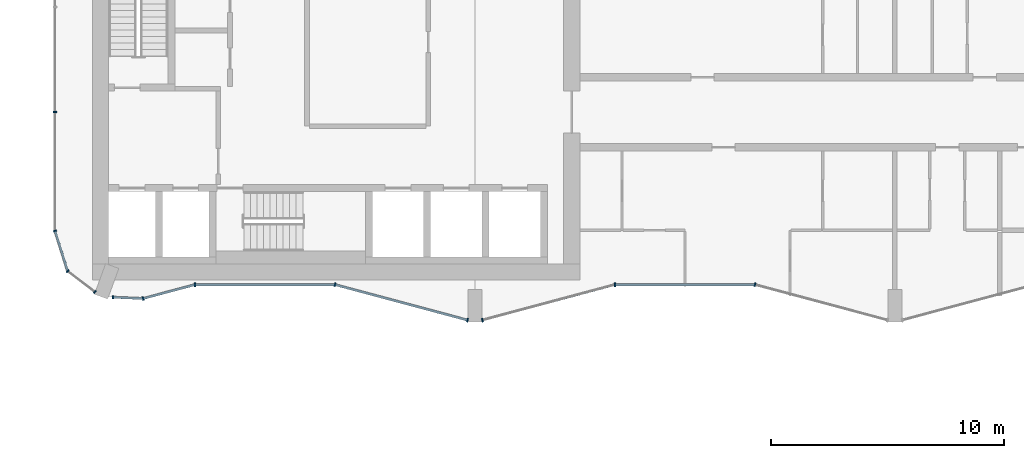
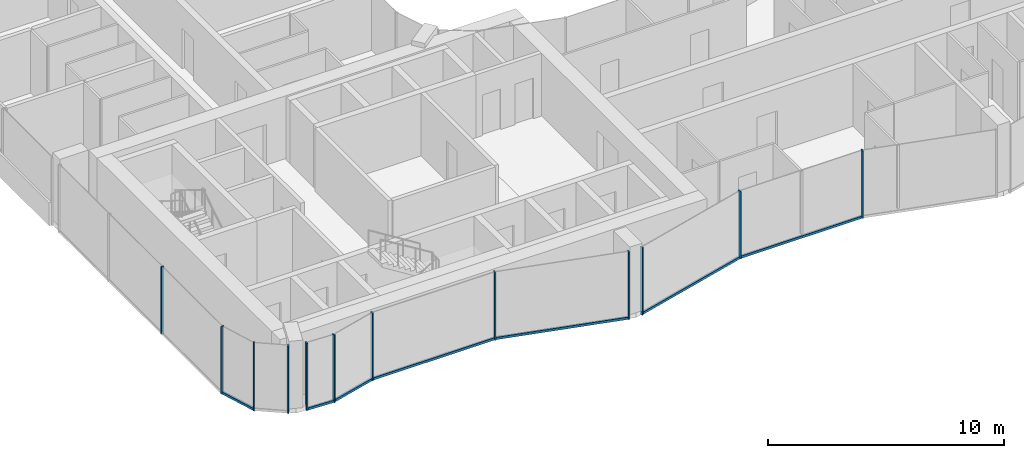
# One storey, part 2 of 23: 19 members, 10 elements without a shape of their own.
"""IFC4 building model written with IfcOpenShell, lengths in metres."""

from ifc_helpers import new_model, si_unit, direction, frame, origin, origin_2d, place, context, subcontext, project, spatial, rectangle, extrude, material, layer, layer_set, material_profile, profile_set, type_object, element, aggregate, save


model = new_model("IFC4")

# Units and contexts
model_context = context("Model", 3, precision=1e-05, world=origin(), true_north=direction((0.0, 1.0)))
body_context = subcontext(model_context, "Body", "Model", "MODEL_VIEW")
ifc_project = project(units=[si_unit("LENGTHUNIT", "METRE"), si_unit("AREAUNIT", "SQUARE_METRE"), si_unit("VOLUMEUNIT", "CUBIC_METRE"), si_unit("PLANEANGLEUNIT", "RADIAN"), si_unit("MASSUNIT", "GRAM", prefix="KILO")], contexts=[model_context])

# Site, building, storey
site_placement = place(None, origin())
site = spatial("IfcSite", under=ifc_project, at=site_placement, CompositionType="ELEMENT")
building_placement = place(site_placement, origin())
building = spatial("IfcBuilding", under=site, at=building_placement, Name="Plateau Cross Towers", CompositionType="ELEMENT")
storey_placement = place(building_placement, frame((0.0, 0.0, 88.800048828125)))
storey = spatial("IfcBuildingStorey", under=building, at=storey_placement, Name="L22", CompositionType="ELEMENT", Elevation=88.800048828125)

# Curtain wall, member
ifc_material_1 = material(Name="Dark low-iron glass", Category="glass")
ifc_layer_1 = layer(ifc_material_1, 0.239990234375)
ifc_layer_set_1 = layer_set([ifc_layer_1], Name="Dark low-iron glass")
curtain_wall_type_1 = type_object("IfcCurtainWallType", Name="Curtain wall flush unitised CW-B", PredefinedType="NOTDEFINED", material=ifc_layer_set_1)
curtain_wall_1_placement = place(storey_placement, origin())
curtain_wall_1 = element("IfcCurtainWall", 1, at=curtain_wall_1_placement, inside=storey, type_object=curtain_wall_type_1, Name="ENV/A/L22/A0_177", PredefinedType="NOTDEFINED")
ifc_material_2 = material(Name="Black anodised aluminium", Category="aluminium")
ifc_material_profile_1 = material_profile(ifc_material_2, rectangle(XDim=0.06005859375, YDim=0.139892578125, at=origin_2d()), Name="MULLION 60x140")
ifc_profile_set_1 = profile_set([ifc_material_profile_1], Name="Black anodised aluminium")
member_type_1 = type_object("IfcMemberType", Name="Mullion 60x140 flush unitised", PredefinedType="MULLION", material=ifc_profile_set_1)
member_1_placement = place(storey_placement, frame((0.0, 9.0, -0.25), z_axis=(0.0, 0.0, 1.0), x_axis=(0.0, -1.0, 0.0)))
member_1 = element("IfcMember", 2, at=member_1_placement, type_object=member_type_1, Name="CW-B mullion 3", PredefinedType="MULLION", context=body_context, shape_type="SweptSolid", body=[
    extrude(rectangle(XDim=0.06005859375, YDim=0.139892578125, at=origin_2d()), origin(), (0.0, 0.0, 1.0), 3.5),
])
aggregate(curtain_wall_1, [member_1])

curtain_wall_2_placement = place(storey_placement, origin())
curtain_wall_2 = element("IfcCurtainWall", 3, at=curtain_wall_2_placement, inside=storey, type_object=curtain_wall_type_1, Name="ENV/A/L22/A0_39", PredefinedType="NOTDEFINED")
member_2_placement = place(storey_placement, frame((0.0, 3.9091796875, -0.25), z_axis=(0.0, 0.0, 1.0), x_axis=(0.300686174994, -0.95372313811, 0.0)))
member_2 = element("IfcMember", 4, at=member_2_placement, type_object=member_type_1, Name="CW-B mullion 1", PredefinedType="MULLION", context=body_context, shape_type="SweptSolid", body=[
    extrude(rectangle(XDim=0.06005859375, YDim=0.139892578125, at=origin_2d()), origin(), (0.0, 0.0, 1.0), 3.5),
])

# Curtain wall, members
curtain_wall_3_placement = place(storey_placement, origin())
curtain_wall_3 = element("IfcCurtainWall", 5, at=curtain_wall_3_placement, inside=storey, type_object=curtain_wall_type_1, Name="ENV/A/L22/A5_22", PredefinedType="NOTDEFINED")
member_3_placement = place(storey_placement, frame((0.54248046875, 2.1884765625, -0.25), z_axis=(0.0, 0.0, 1.0), x_axis=(0.793315514529, -0.608810721331, 0.0)))
member_3 = element("IfcMember", 6, at=member_3_placement, type_object=member_type_1, Name="CW-B mullion 1", PredefinedType="MULLION", context=body_context, shape_type="SweptSolid", body=[
    extrude(rectangle(XDim=0.06005859375, YDim=0.139892578125, at=origin_2d()), origin(), (0.0, 0.0, 1.0), 3.5),
])
member_4_placement = place(storey_placement, frame((1.709716796875, 1.292724609375, -0.25), z_axis=(0.0, 0.0, 1.0), x_axis=(0.793315514529, -0.608810721331, 0.0)))
member_4 = element("IfcMember", 7, at=member_4_placement, type_object=member_type_1, Name="CW-B mullion 2", PredefinedType="MULLION", context=body_context, shape_type="SweptSolid", body=[
    extrude(rectangle(XDim=0.06005859375, YDim=0.139892578125, at=origin_2d()), origin(), (0.0, 0.0, 1.0), 3.5),
])
aggregate(curtain_wall_3, [member_3, member_4])

# Curtain wall, member
curtain_wall_4_placement = place(storey_placement, origin())
curtain_wall_4 = element("IfcCurtainWall", 8, at=curtain_wall_4_placement, inside=storey, type_object=curtain_wall_type_1, Name="ENV/A/L22/A25_11", PredefinedType="NOTDEFINED")
member_5_placement = place(storey_placement, frame((2.483642578125, 1.06787109375, -0.25), z_axis=(0.0, 0.0, 1.0), x_axis=(0.999043701491, -0.043722791671, 0.0)))
member_5 = element("IfcMember", 9, at=member_5_placement, type_object=member_type_1, Name="CW-B mullion 1", PredefinedType="MULLION", context=body_context, shape_type="SweptSolid", body=[
    extrude(rectangle(XDim=0.06005859375, YDim=0.139892578125, at=origin_2d()), origin(), (0.0, 0.0, 1.0), 3.5),
])

ifc_layer_2 = layer(ifc_material_1, 0.260009765625)
ifc_layer_set_2 = layer_set([ifc_layer_2], Name="Dark low-iron glass")
curtain_wall_type_2 = type_object("IfcCurtainWallType", Name="Curtain wall fluted unitised CW-A", PredefinedType="NOTDEFINED", material=ifc_layer_set_2)
curtain_wall_5_placement = place(storey_placement, origin())
curtain_wall_5 = element("IfcCurtainWall", 10, at=curtain_wall_5_placement, inside=storey, type_object=curtain_wall_type_2, Name="ENV/A/L22/A38_10", PredefinedType="NOTDEFINED")
ifc_material_profile_2 = material_profile(ifc_material_2, rectangle(XDim=0.06005859375, YDim=0.159912109375, at=origin_2d()), Name="MULLION 60x160")
ifc_profile_set_2 = profile_set([ifc_material_profile_2], Name="Black anodised aluminium")
member_type_2 = type_object("IfcMemberType", Name="Mullion 60x160 fluted unitised", PredefinedType="MULLION", material=ifc_profile_set_2)
member_6_placement = place(storey_placement, frame((3.776123046875, 1.01123046875, -0.25), z_axis=(0.0, 0.0, 1.0), x_axis=(0.965957962328, 0.258699081978, 0.0)))
member_6 = element("IfcMember", 11, at=member_6_placement, type_object=member_type_2, Name="CW-A mullion 1", PredefinedType="MULLION", context=body_context, shape_type="SweptSolid", body=[
    extrude(rectangle(XDim=0.06005859375, YDim=0.159912109375, at=origin_2d()), origin(), (0.0, 0.0, 1.0), 3.5),
])

curtain_wall_6_placement = place(storey_placement, origin())
curtain_wall_6 = element("IfcCurtainWall", 12, at=curtain_wall_6_placement, inside=storey, type_object=curtain_wall_type_2, Name="ENV/A/L22/A60_16", PredefinedType="NOTDEFINED")
member_7_placement = place(storey_placement, frame((6.0, 1.60693359375, -0.25), z_axis=(0.0, 0.0, 1.0), x_axis=(1.0, 0.0, 0.0)))
member_7 = element("IfcMember", 13, at=member_7_placement, type_object=member_type_2, Name="CW-A mullion 1", PredefinedType="MULLION", context=body_context, shape_type="SweptSolid", body=[
    extrude(rectangle(XDim=0.06005859375, YDim=0.159912109375, at=origin_2d()), origin(), (0.0, 0.0, 1.0), 3.5),
])

# Curtain wall, members
curtain_wall_7_placement = place(storey_placement, origin())
curtain_wall_7 = element("IfcCurtainWall", 14, at=curtain_wall_7_placement, inside=storey, type_object=curtain_wall_type_2, Name="ENV/A/L22/A120_16", PredefinedType="NOTDEFINED")
member_8_placement = place(storey_placement, frame((12.0, 1.60693359375, -0.25), z_axis=(0.0, 0.0, 1.0), x_axis=(0.965957983404, -0.258699003279, 0.0)))
member_8 = element("IfcMember", 15, at=member_8_placement, type_object=member_type_2, Name="CW-A mullion 1", PredefinedType="MULLION", context=body_context, shape_type="SweptSolid", body=[
    extrude(rectangle(XDim=0.06005859375, YDim=0.159912109375, at=origin_2d()), origin(), (0.0, 0.0, 1.0), 3.5),
])
member_9_placement = place(storey_placement, frame((17.68212890625, 0.085205078125, -0.25), z_axis=(0.0, 0.0, 1.0), x_axis=(0.965957983404, -0.258699003279, 0.0)))
member_9 = element("IfcMember", 16, at=member_9_placement, type_object=member_type_2, Name="CW-A mullion 2", PredefinedType="MULLION", context=body_context, shape_type="SweptSolid", body=[
    extrude(rectangle(XDim=0.06005859375, YDim=0.159912109375, at=origin_2d()), origin(), (0.0, 0.0, 1.0), 3.5),
])

# Curtain wall, member
curtain_wall_8_placement = place(storey_placement, origin())
curtain_wall_8 = element("IfcCurtainWall", 17, at=curtain_wall_8_placement, inside=storey, type_object=curtain_wall_type_2, Name="ENV/A/L22/A183_1", PredefinedType="NOTDEFINED")
member_10_placement = place(storey_placement, frame((18.31787109375, 0.085205078125, -0.25), z_axis=(0.0, 0.0, 1.0), x_axis=(0.965957983404, 0.258699003279, 0.0)))
member_10 = element("IfcMember", 18, at=member_10_placement, type_object=member_type_2, Name="CW-A mullion 1", PredefinedType="MULLION", context=body_context, shape_type="SweptSolid", body=[
    extrude(rectangle(XDim=0.06005859375, YDim=0.159912109375, at=origin_2d()), origin(), (0.0, 0.0, 1.0), 3.5),
])

curtain_wall_9_placement = place(storey_placement, origin())
curtain_wall_9 = element("IfcCurtainWall", 19, at=curtain_wall_9_placement, inside=storey, type_object=curtain_wall_type_2, Name="ENV/A/L22/A240_16", PredefinedType="NOTDEFINED")
member_11_placement = place(storey_placement, frame((24.0, 1.60693359375, -0.25), z_axis=(0.0, 0.0, 1.0), x_axis=(1.0, 0.0, 0.0)))
member_11 = element("IfcMember", 20, at=member_11_placement, type_object=member_type_2, Name="CW-A mullion 1", PredefinedType="MULLION", context=body_context, shape_type="SweptSolid", body=[
    extrude(rectangle(XDim=0.06005859375, YDim=0.159912109375, at=origin_2d()), origin(), (0.0, 0.0, 1.0), 3.5),
])

curtain_wall_10_placement = place(storey_placement, origin())
curtain_wall_10 = element("IfcCurtainWall", 21, at=curtain_wall_10_placement, inside=storey, type_object=curtain_wall_type_2, Name="ENV/A/L22/A300_16", PredefinedType="NOTDEFINED")
member_12_placement = place(storey_placement, frame((30.0, 1.60693359375, -0.25), z_axis=(0.0, 0.0, 1.0), x_axis=(0.965957983404, -0.258699003279, 0.0)))
member_12 = element("IfcMember", 22, at=member_12_placement, type_object=member_type_2, Name="CW-A mullion 1", PredefinedType="MULLION", context=body_context, shape_type="SweptSolid", body=[
    extrude(rectangle(XDim=0.06005859375, YDim=0.159912109375, at=origin_2d()), origin(), (0.0, 0.0, 1.0), 3.5),
])
aggregate(curtain_wall_10, [member_12])

# Member
ifc_material_profile_3 = material_profile(ifc_material_2, rectangle(XDim=0.10009765625, YDim=0.1201171875, at=origin_2d()), Name="TRANSOM 100x120")
ifc_profile_set_3 = profile_set([ifc_material_profile_3], Name="Black anodised aluminium")
member_type_3 = type_object("IfcMemberType", Name="Transom 100x120 flush unitised", PredefinedType="USERDEFINED", material=ifc_profile_set_3)
member_13_placement = place(storey_placement, frame((0.0, 3.9091796875, -0.18994140625), z_axis=(0.30067799945, -0.953725715626, 0.0), x_axis=(0.953725715626, 0.30067799945, 0.0)))
member_13 = element("IfcMember", 23, at=member_13_placement, type_object=member_type_3, Name="CW-B transom", ObjectType="TRANSOM", PredefinedType="USERDEFINED", context=body_context, shape_type="SweptSolid", body=[
    extrude(rectangle(XDim=0.10009765625, YDim=0.1201171875, at=origin_2d()), origin(), (0.0, 0.0, 1.0), 1.80419921875),
])

aggregate(curtain_wall_2, [member_2, member_13])

member_14_placement = place(storey_placement, frame((2.483642578125, 1.06787109375, -0.18994140625), z_axis=(0.999041144614, -0.043781175963, 0.0), x_axis=(0.043781175963, 0.999041144614, 0.0)))
member_14 = element("IfcMember", 24, at=member_14_placement, type_object=member_type_3, Name="CW-B transom", ObjectType="TRANSOM", PredefinedType="USERDEFINED", context=body_context, shape_type="SweptSolid", body=[
    extrude(rectangle(XDim=0.10009765625, YDim=0.1201171875, at=origin_2d()), origin(), (0.0, 0.0, 1.0), 1.293701171875),
])

aggregate(curtain_wall_4, [member_5, member_14])

ifc_material_profile_4 = material_profile(ifc_material_2, rectangle(XDim=0.10009765625, YDim=0.1201171875, at=origin_2d()), Name="TRANSOM 100x120")
ifc_profile_set_4 = profile_set([ifc_material_profile_4], Name="Black anodised aluminium")
member_type_4 = type_object("IfcMemberType", Name="Transom 100x120 fluted unitised", PredefinedType="USERDEFINED", material=ifc_profile_set_4)
member_15_placement = place(storey_placement, frame((3.776123046875, 1.01123046875, -0.18994140625), z_axis=(0.965945685136, 0.258744919501, 0.0), x_axis=(-0.258744919501, 0.965945685136, 0.0)))
member_15 = element("IfcMember", 25, at=member_15_placement, type_object=member_type_4, Name="CW-A transom", ObjectType="TRANSOM", PredefinedType="USERDEFINED", context=body_context, shape_type="SweptSolid", body=[
    extrude(rectangle(XDim=0.10009765625, YDim=0.1201171875, at=origin_2d()), origin(), (0.0, 0.0, 1.0), 2.30224609375),
])

aggregate(curtain_wall_5, [member_6, member_15])

member_16_placement = place(storey_placement, frame((6.0, 1.60693359375, -0.18994140625), z_axis=(1.0, 0.0, 0.0), x_axis=(0.0, 1.0, 0.0)))
member_16 = element("IfcMember", 26, at=member_16_placement, type_object=member_type_4, Name="CW-A transom", ObjectType="TRANSOM", PredefinedType="USERDEFINED", context=body_context, shape_type="SweptSolid", body=[
    extrude(rectangle(XDim=0.10009765625, YDim=0.1201171875, at=origin_2d()), origin(), (0.0, 0.0, 1.0), 6.0),
])

aggregate(curtain_wall_6, [member_7, member_16])

member_17_placement = place(storey_placement, frame((12.0, 1.60693359375, -0.18994140625), z_axis=(0.965959534794, -0.258693210465, 0.0), x_axis=(0.258693210465, 0.965959534794, 0.0)))
member_17 = element("IfcMember", 27, at=member_17_placement, type_object=member_type_4, Name="CW-A transom", ObjectType="TRANSOM", PredefinedType="USERDEFINED", context=body_context, shape_type="SweptSolid", body=[
    extrude(rectangle(XDim=0.10009765625, YDim=0.1201171875, at=origin_2d()), origin(), (0.0, 0.0, 1.0), 5.88232421875),
])

aggregate(curtain_wall_7, [member_8, member_9, member_17])

member_18_placement = place(storey_placement, frame((18.31787109375, 0.085205078125, -0.18994140625), z_axis=(0.965959534794, 0.258693210465, 0.0), x_axis=(-0.258693210465, 0.965959534794, 0.0)))
member_18 = element("IfcMember", 28, at=member_18_placement, type_object=member_type_4, Name="CW-A transom", ObjectType="TRANSOM", PredefinedType="USERDEFINED", context=body_context, shape_type="SweptSolid", body=[
    extrude(rectangle(XDim=0.10009765625, YDim=0.1201171875, at=origin_2d()), origin(), (0.0, 0.0, 1.0), 5.88232421875),
])

aggregate(curtain_wall_8, [member_10, member_18])

member_19_placement = place(storey_placement, frame((24.0, 1.60693359375, -0.18994140625), z_axis=(1.0, 0.0, 0.0), x_axis=(0.0, 1.0, 0.0)))
member_19 = element("IfcMember", 29, at=member_19_placement, type_object=member_type_4, Name="CW-A transom", ObjectType="TRANSOM", PredefinedType="USERDEFINED", context=body_context, shape_type="SweptSolid", body=[
    extrude(rectangle(XDim=0.10009765625, YDim=0.1201171875, at=origin_2d()), origin(), (0.0, 0.0, 1.0), 6.0),
])

aggregate(curtain_wall_9, [member_11, member_19])

save(model, "model.ifc")
